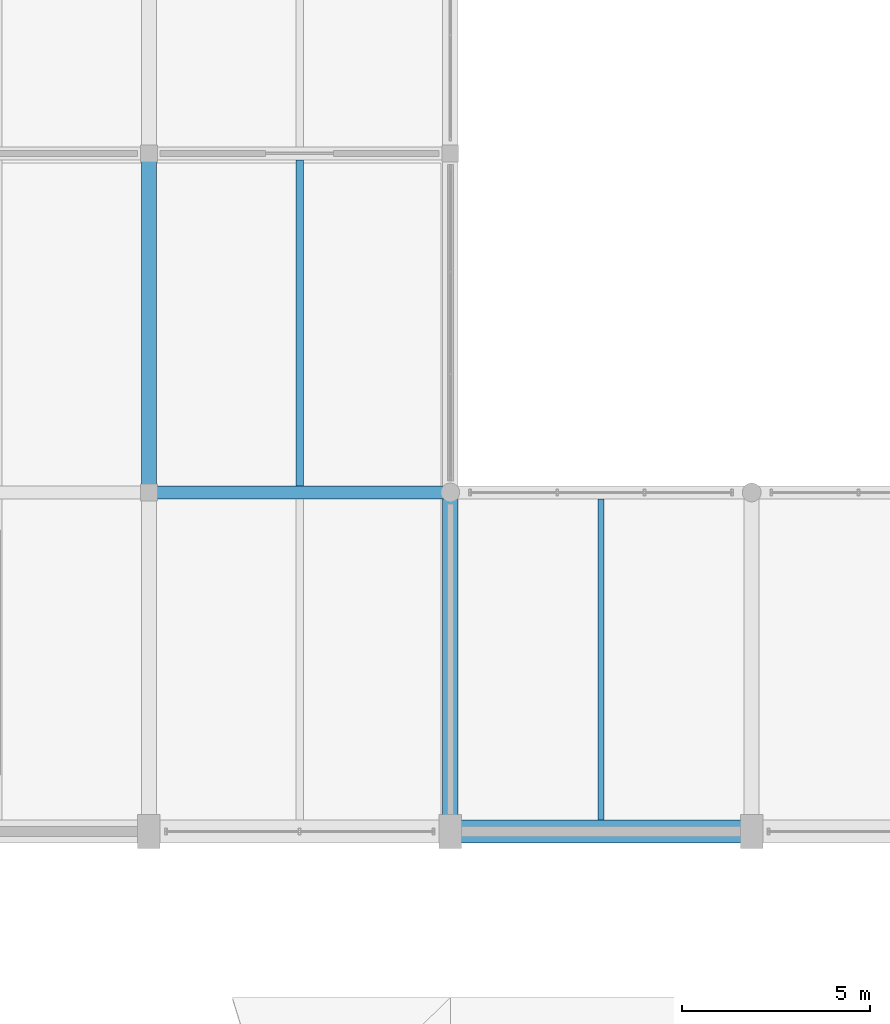
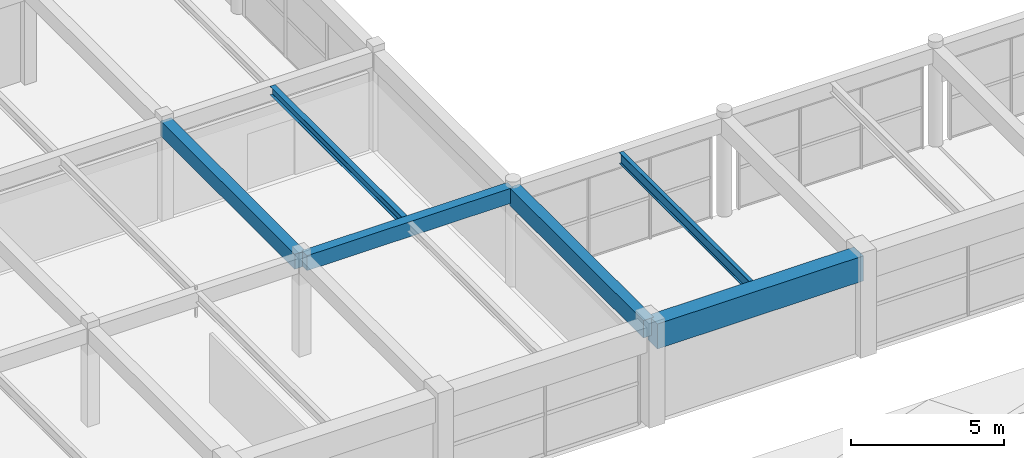
# One storey, part 42 of 126: 6 beams.
"""IFC4 building model written with IfcOpenShell, lengths in metres."""

from ifc_helpers import new_model, si_unit, direction, frame, origin, origin_2d, place, context, subcontext, project, spatial, rectangle, i_section, extrude, material, material_profile, profile_set, type_object, element, save


model = new_model("IFC4")

# Units and contexts
model_context = context("Model", 3, precision=1e-05, world=origin(), true_north=direction((0.0, 1.0)))
body_context = subcontext(model_context, "Body", "Model", "MODEL_VIEW")
ifc_project = project(units=[si_unit("LENGTHUNIT", "METRE"), si_unit("AREAUNIT", "SQUARE_METRE"), si_unit("VOLUMEUNIT", "CUBIC_METRE"), si_unit("PLANEANGLEUNIT", "RADIAN"), si_unit("MASSUNIT", "GRAM", prefix="KILO")], contexts=[model_context])

# Site, building, storey
site_placement = place(None, origin())
site = spatial("IfcSite", under=ifc_project, at=site_placement, CompositionType="ELEMENT")
building_placement = place(site_placement, origin())
building = spatial("IfcBuilding", under=site, at=building_placement, Name="Varnabhumi Central Station", CompositionType="ELEMENT")
storey_placement = place(building_placement, frame((0.0, 0.0, 16.199951171875)))
storey = spatial("IfcBuildingStorey", under=building, at=storey_placement, Name="L03", CompositionType="ELEMENT", Elevation=16.199951171875)

# Beams
ifc_material_1 = material(Name="Structural steel E350", Category="steel")
ifc_material_profile_1 = material_profile(ifc_material_1, i_section(OverallWidth=0.14990234375, OverallDepth=0.449951171875, WebThickness=0.009521484375, FlangeThickness=0.017333984375, FilletRadius=0.014892578125, at=origin_2d()), Name="Structural steel E350", Category="steel")
ifc_profile_set_1 = profile_set([ifc_material_profile_1], Name="Structural steel E350")
beam_type_1 = type_object("IfcBeamType", Name="BM-JST-ISMB450", PredefinedType="JOIST", material=ifc_profile_set_1)
beam_1_placement = place(storey_placement, frame((52.0, 80.300048828125, 3.72509765625), z_axis=(0.0, 1.0, 0.0), x_axis=(-1.0, 0.0, 0.0)))
element("IfcBeam", 1, at=beam_1_placement, inside=storey, type_object=beam_type_1, Name="Secondary Joist L03-7/8:K-L", PredefinedType="JOIST", context=body_context, shape_type="SweptSolid", body=[
    extrude(i_section(OverallWidth=0.14990234375, OverallDepth=0.449951171875, WebThickness=0.009521484375, FlangeThickness=0.017333984375, FilletRadius=0.014892578125, at=origin_2d()), origin(), (0.0, 0.0, 1.0), 8.52490234375),
])
ifc_material_2 = material(Name="Concrete M40", Category="concrete")
ifc_material_profile_2 = material_profile(ifc_material_2, rectangle(XDim=0.35009765625, YDim=0.60009765625, at=origin_2d()), Name="Concrete M40", Category="concrete")
ifc_profile_set_2 = profile_set([ifc_material_profile_2], Name="Concrete M40")
beam_type_2 = type_object("IfcBeamType", Name="BM-RC-350x600", PredefinedType="BEAM", material=ifc_profile_set_2)
beam_2_placement = place(storey_placement, frame((40.10009765625, 89.0, 3.650146484375), z_axis=(1.0, 0.0, 0.0), x_axis=(0.0, 1.0, 0.0)))
element("IfcBeam", 2, at=beam_2_placement, inside=storey, type_object=beam_type_2, Name="Beam L03-L:6-7", PredefinedType="BEAM", context=body_context, shape_type="SweptSolid", body=[
    extrude(rectangle(XDim=0.35009765625, YDim=0.60009765625, at=origin_2d()), origin(), (0.0, 0.0, 1.0), 7.7998046875),
])
ifc_material_profile_3 = material_profile(ifc_material_2, rectangle(XDim=0.39990234375, YDim=0.60009765625, at=origin_2d()), Name="Concrete M40", Category="concrete")
ifc_profile_set_3 = profile_set([ifc_material_profile_3], Name="Concrete M40")
beam_type_3 = type_object("IfcBeamType", Name="BM-RC-400x600", PredefinedType="BEAM", material=ifc_profile_set_3)
beam_3_placement = place(storey_placement, frame((40.0, 89.10009765625, 3.650146484375), z_axis=(0.0, 1.0, 0.0), x_axis=(-1.0, 0.0, 0.0)))
element("IfcBeam", 3, at=beam_3_placement, inside=storey, type_object=beam_type_3, Name="Beam L03-6:L-M", PredefinedType="BEAM", context=body_context, shape_type="SweptSolid", body=[
    extrude(rectangle(XDim=0.39990234375, YDim=0.60009765625, at=origin_2d()), origin(), (0.0, 0.0, 1.0), 8.7998046875),
])
ifc_material_3 = material(Name="Concrete M50", Category="concrete")
ifc_material_profile_4 = material_profile(ifc_material_3, rectangle(XDim=0.60009765625, YDim=1.0, at=origin_2d()), Name="Concrete M50", Category="concrete")
ifc_profile_set_4 = profile_set([ifc_material_profile_4], Name="Concrete M50")
beam_type_4 = type_object("IfcBeamType", Name="BM-RC-600x1000", PredefinedType="BEAM", material=ifc_profile_set_4)
beam_4_placement = place(storey_placement, frame((48.10009765625, 80.0, 3.449951171875), z_axis=(1.0, 0.0, 0.0), x_axis=(0.0, 1.0, 0.0)))
element("IfcBeam", 4, at=beam_4_placement, inside=storey, type_object=beam_type_4, Name="Beam L03-K:7-8", PredefinedType="BEAM", context=body_context, shape_type="SweptSolid", body=[
    extrude(rectangle(XDim=0.60009765625, YDim=1.0, at=origin_2d()), origin(), (0.0, 0.0, 1.0), 7.7998046875),
])
ifc_material_profile_5 = material_profile(ifc_material_2, rectangle(XDim=0.39990234375, YDim=0.699951171875, at=origin_2d()), Name="Concrete M40", Category="concrete")
ifc_profile_set_5 = profile_set([ifc_material_profile_5], Name="Concrete M40")
beam_type_5 = type_object("IfcBeamType", Name="BM-RC-700x400", PredefinedType="BEAM", material=ifc_profile_set_5)
beam_5_placement = place(storey_placement, frame((48.0, 80.10009765625, 3.60009765625), z_axis=(0.0, 1.0, 0.0), x_axis=(-1.0, 0.0, 0.0)))
element("IfcBeam", 5, at=beam_5_placement, inside=storey, type_object=beam_type_5, Name="Beam L03-7:K-L", PredefinedType="BEAM", context=body_context, shape_type="SweptSolid", body=[
    extrude(rectangle(XDim=0.39990234375, YDim=0.699951171875, at=origin_2d()), origin(), (0.0, 0.0, 1.0), 8.7998046875),
])
ifc_material_profile_6 = material_profile(ifc_material_1, i_section(OverallWidth=0.199951171875, OverallDepth=0.35009765625, WebThickness=0.008056640625, FlangeThickness=0.011474609375, FilletRadius=0.011962890625, at=origin_2d()), Name="Structural steel E350", Category="steel")
ifc_profile_set_6 = profile_set([ifc_material_profile_6], Name="Structural steel E350")
beam_type_6 = type_object("IfcBeamType", Name="BM-STL-ISWB350", PredefinedType="JOIST", material=ifc_profile_set_6)
beam_6_placement = place(storey_placement, frame((44.0, 89.175048828125, 3.775146484375), z_axis=(0.0, 1.0, 0.0), x_axis=(-1.0, 0.0, 0.0)))
element("IfcBeam", 6, at=beam_6_placement, inside=storey, type_object=beam_type_6, Name="Secondary Joist L03-6/7:L-M", PredefinedType="JOIST", context=body_context, shape_type="SweptSolid", body=[
    extrude(i_section(OverallWidth=0.199951171875, OverallDepth=0.35009765625, WebThickness=0.008056640625, FlangeThickness=0.011474609375, FilletRadius=0.011962890625, at=origin_2d()), origin(), (0.0, 0.0, 1.0), 8.64990234375),
])

save(model, "model.ifc")
